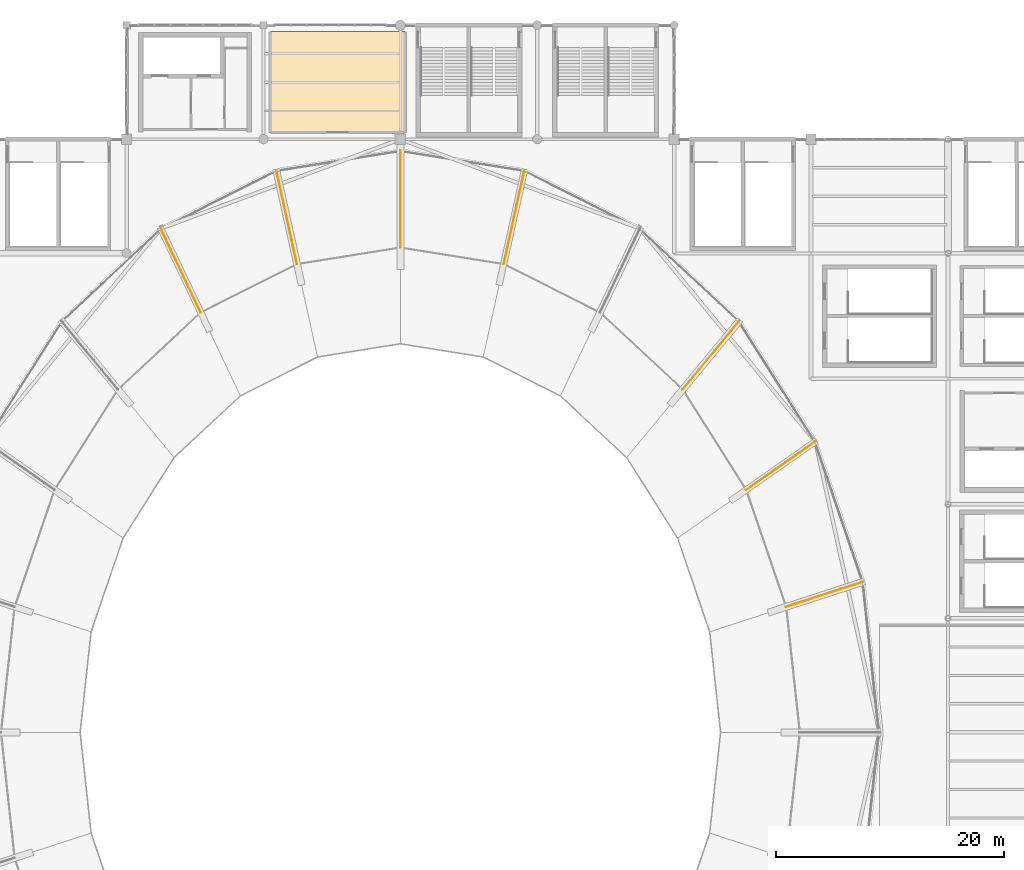
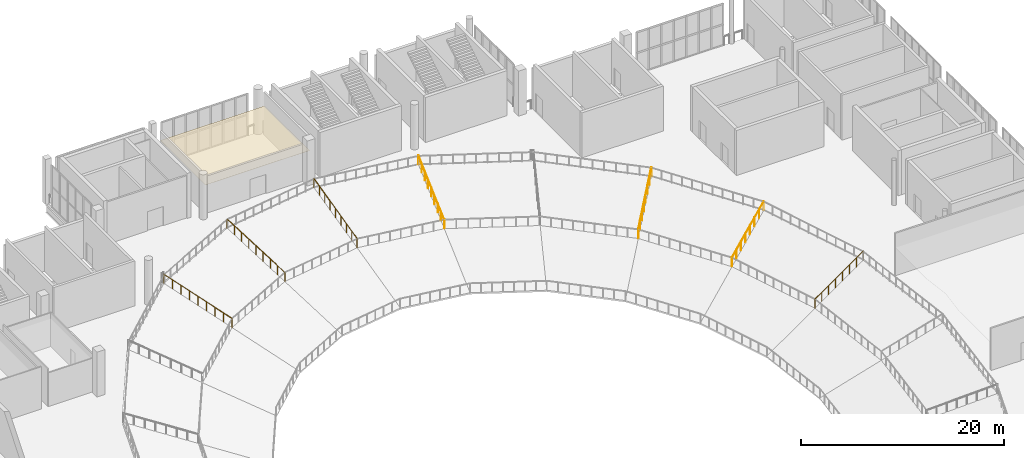
# One storey, part 70 of 74: 7 railings, 1 covering.
"""IFC4 building model written with IfcOpenShell, lengths in metres."""

from ifc_helpers import new_model, si_unit, direction, frame, origin, origin_2d, place, context, subcontext, project, spatial, polyline, circle, outline, extrude, material, layer, layer_set, type_object, element, save


model = new_model("IFC4")

# Units and contexts
model_context = context("Model", 3, precision=1e-05, world=origin(), true_north=direction((0.0, 1.0)))
body_context = subcontext(model_context, "Body", "Model", "MODEL_VIEW")
ifc_project = project(units=[si_unit("LENGTHUNIT", "METRE"), si_unit("AREAUNIT", "SQUARE_METRE"), si_unit("VOLUMEUNIT", "CUBIC_METRE"), si_unit("PLANEANGLEUNIT", "RADIAN"), si_unit("MASSUNIT", "GRAM", prefix="KILO")], contexts=[model_context])

# Site, building, storey
site_placement = place(None, origin())
site = spatial("IfcSite", under=ifc_project, at=site_placement, CompositionType="ELEMENT")
building_placement = place(site_placement, origin())
building = spatial("IfcBuilding", under=site, at=building_placement, Name="Brinegate Civic Arena", CompositionType="ELEMENT")
storey_placement = place(building_placement, frame((0.0, 0.0, 19.199951171875)))
storey = spatial("IfcBuildingStorey", under=building, at=storey_placement, Name="L04", CompositionType="ELEMENT", Elevation=19.199951171875)

# Covering
ifc_material_1 = material(Name="Acoustic perforated aluminium ceiling", Category="aluminium")
ifc_layer = layer(ifc_material_1, 0.01806640625, Name="Acoustic perforated aluminium ceiling")
ifc_layer_set = layer_set([ifc_layer], Name="Acoustic perforated aluminium ceiling")
covering_type = type_object("IfcCoveringType", Name="CEILING-MOISTURE-18", PredefinedType="CEILING", material=ifc_layer_set)
covering_placement = place(storey_placement, frame((0.0, 0.0, 3.33203125)))
element("IfcCovering", 1, at=covering_placement, inside=storey, type_object=covering_type, Name="Acoustic Ceiling L04-002", PredefinedType="CEILING", context=body_context, shape_type="SweptSolid", body=[
    extrude(outline(polyline([(108.402099609375, 123.419921875), (108.404052734375, 123.419921875), (108.406005859375, 123.4189453125), (108.407958984375, 123.41796875), (108.408935546875, 123.41796875), (108.410888671875, 123.4169921875), (108.4130859375, 123.4150390625), (108.4140625, 123.4140625), (108.4150390625, 123.4130859375), (108.4169921875, 123.410888671875), (108.41796875, 123.408935546875), (108.41796875, 123.407958984375), (108.4189453125, 123.406005859375), (108.419921875, 123.404052734375), (108.419921875, 123.402099609375), (108.419921875, 123.39990234375), (108.419921875, 114.60009765625), (108.419921875, 114.597900390625), (108.419921875, 114.595947265625), (108.4189453125, 114.593994140625), (108.41796875, 114.592041015625), (108.41796875, 114.591064453125), (108.4169921875, 114.589111328125), (108.4150390625, 114.5869140625), (108.4140625, 114.5859375), (108.4130859375, 114.5849609375), (108.410888671875, 114.5830078125), (108.408935546875, 114.58203125), (108.407958984375, 114.58203125), (108.406005859375, 114.5810546875), (108.404052734375, 114.580078125), (108.402099609375, 114.580078125), (108.39990234375, 114.580078125), (96.60009765625, 114.580078125), (96.597900390625, 114.580078125), (96.595947265625, 114.580078125), (96.593994140625, 114.5810546875), (96.592041015625, 114.58203125), (96.591064453125, 114.58203125), (96.589111328125, 114.5830078125), (96.5869140625, 114.5849609375), (96.5859375, 114.5859375), (96.5849609375, 114.5869140625), (96.5830078125, 114.589111328125), (96.58203125, 114.591064453125), (96.58203125, 114.592041015625), (96.5810546875, 114.593994140625), (96.580078125, 114.595947265625), (96.580078125, 114.597900390625), (96.580078125, 114.60009765625), (96.580078125, 123.39990234375), (96.580078125, 123.402099609375), (96.580078125, 123.404052734375), (96.5810546875, 123.406005859375), (96.58203125, 123.407958984375), (96.58203125, 123.408935546875), (96.5830078125, 123.410888671875), (96.5849609375, 123.4130859375), (96.5859375, 123.4140625), (96.5869140625, 123.4150390625), (96.589111328125, 123.4169921875), (96.591064453125, 123.41796875), (96.592041015625, 123.41796875), (96.593994140625, 123.4189453125), (96.595947265625, 123.419921875), (96.597900390625, 123.419921875), (96.60009765625, 123.419921875), (108.39990234375, 123.419921875), (108.402099609375, 123.419921875)])), origin(), (0.0, 0.0, 1.0), 0.01806640625),
])

# Railings
ifc_material_2 = material(Name="Architectural stainless steel balustrade", Category="steel")
railing_type = type_object("IfcRailingType", Name="RAIL-BOWL-BARRIER-1100", PredefinedType="GUARDRAIL", material=ifc_material_2)
railing_1_placement = place(storey_placement, frame((141.806884765625, 73.0, -2.074951171875)))
element("IfcRailing", 2, at=railing_1_placement, inside=storey, type_object=railing_type, Name="Upper Bowl Radial Aisle Guard RAD-02", PredefinedType="GUARDRAIL", context=body_context, shape_type="SweptSolid", body=[
    extrude(circle(Radius=0.02392578125, at=origin_2d()), frame((0.00146484375, 0.00048828125, 1.096435546875), z_axis=(0.912873268737, 0.296985378893, 0.280110835114), x_axis=(-0.309370189607, 0.950941683692, 0.0)), (0.0, 0.0, 1.0), 7.404541015625),
    extrude(circle(Radius=0.02099609375, at=origin_2d()), origin(), (0.0, 0.0, 1.0), 1.070068359375),
    extrude(circle(Radius=0.02099609375, at=origin_2d()), frame((0.966064453125, 0.314208984375, 0.29638671875)), (0.0, 0.0, 1.0), 1.070068359375),
    extrude(circle(Radius=0.02099609375, at=origin_2d()), frame((1.93212890625, 0.628662109375, 0.5927734375)), (0.0, 0.0, 1.0), 1.070068359375),
    extrude(circle(Radius=0.02099609375, at=origin_2d()), frame((2.898193359375, 0.94287109375, 0.88916015625)), (0.0, 0.0, 1.0), 1.070068359375),
    extrude(circle(Radius=0.02099609375, at=origin_2d()), frame((3.864013671875, 1.257080078125, 1.185791015625)), (0.0, 0.0, 1.0), 1.070068359375),
    extrude(circle(Radius=0.02099609375, at=origin_2d()), frame((4.830078125, 1.5712890625, 1.482177734375)), (0.0, 0.0, 1.0), 1.070068359375),
    extrude(circle(Radius=0.02099609375, at=origin_2d()), frame((5.796142578125, 1.8857421875, 1.778564453125)), (0.0, 0.0, 1.0), 1.070068359375),
    extrude(circle(Radius=0.02099609375, at=origin_2d()), frame((6.76220703125, 2.199951171875, 2.074951171875)), (0.0, 0.0, 1.0), 1.070068359375),
])
railing_2_placement = place(storey_placement, frame((138.31103515625, 83.25, -2.074951171875)))
element("IfcRailing", 3, at=railing_2_placement, inside=storey, type_object=railing_type, Name="Upper Bowl Radial Aisle Guard RAD-03", PredefinedType="GUARDRAIL", context=body_context, shape_type="SweptSolid", body=[
    extrude(circle(Radius=0.02392578125, at=origin_2d()), frame((0.001220703125, 0.000732421875, 1.096435546875), z_axis=(0.788432626392, 0.552760175603, 0.269870676267), x_axis=(-0.574059757588, 0.818813406533, 0.0)), (0.0, 0.0, 1.0), 7.685791015625),
    extrude(circle(Radius=0.02099609375, at=origin_2d()), origin(), (0.0, 0.0, 1.0), 1.070068359375),
    extrude(circle(Radius=0.02099609375, at=origin_2d()), frame((0.865966796875, 0.607177734375, 0.29638671875)), (0.0, 0.0, 1.0), 1.070068359375),
    extrude(circle(Radius=0.02099609375, at=origin_2d()), frame((1.73193359375, 1.21435546875, 0.5927734375)), (0.0, 0.0, 1.0), 1.070068359375),
    extrude(circle(Radius=0.02099609375, at=origin_2d()), frame((2.597900390625, 1.821533203125, 0.88916015625)), (0.0, 0.0, 1.0), 1.070068359375),
    extrude(circle(Radius=0.02099609375, at=origin_2d()), frame((3.464111328125, 2.428466796875, 1.185791015625)), (0.0, 0.0, 1.0), 1.070068359375),
    extrude(circle(Radius=0.02099609375, at=origin_2d()), frame((4.330078125, 3.03564453125, 1.482177734375)), (0.0, 0.0, 1.0), 1.070068359375),
    extrude(circle(Radius=0.02099609375, at=origin_2d()), frame((5.196044921875, 3.642822265625, 1.778564453125)), (0.0, 0.0, 1.0), 1.070068359375),
    extrude(circle(Radius=0.02099609375, at=origin_2d()), frame((6.06201171875, 4.25, 2.074951171875)), (0.0, 0.0, 1.0), 1.070068359375),
])
railing_3_placement = place(storey_placement, frame((132.7490234375, 92.052001953125, -2.074951171875)))
element("IfcRailing", 4, at=railing_3_placement, inside=storey, type_object=railing_type, Name="Upper Bowl Radial Aisle Guard RAD-04", PredefinedType="GUARDRAIL", context=body_context, shape_type="SweptSolid", body=[
    extrude(circle(Radius=0.02392578125, at=origin_2d()), frame((0.0009765625, 0.001220703125, 1.096435546875), z_axis=(0.614232363267, 0.745920679125, 0.257528531173), x_axis=(-0.771958296095, 0.635673177891, 0.0)), (0.0, 0.0, 1.0), 8.05419921875),
    extrude(circle(Radius=0.02099609375, at=origin_2d()), origin(), (0.0, 0.0, 1.0), 1.070068359375),
    extrude(circle(Radius=0.02099609375, at=origin_2d()), frame((0.70703125, 0.858642578125, 0.29638671875)), (0.0, 0.0, 1.0), 1.070068359375),
    extrude(circle(Radius=0.02099609375, at=origin_2d()), frame((1.4140625, 1.717041015625, 0.5927734375)), (0.0, 0.0, 1.0), 1.070068359375),
    extrude(circle(Radius=0.02099609375, at=origin_2d()), frame((2.12109375, 2.57568359375, 0.88916015625)), (0.0, 0.0, 1.0), 1.070068359375),
    extrude(circle(Radius=0.02099609375, at=origin_2d()), frame((2.827880859375, 3.434326171875, 1.185791015625)), (0.0, 0.0, 1.0), 1.070068359375),
    extrude(circle(Radius=0.02099609375, at=origin_2d()), frame((3.534912109375, 4.29296875, 1.482177734375)), (0.0, 0.0, 1.0), 1.070068359375),
    extrude(circle(Radius=0.02099609375, at=origin_2d()), frame((4.241943359375, 5.1513671875, 1.778564453125)), (0.0, 0.0, 1.0), 1.070068359375),
    extrude(circle(Radius=0.02099609375, at=origin_2d()), frame((4.948974609375, 6.010009765625, 2.074951171875)), (0.0, 0.0, 1.0), 1.070068359375),
])
railing_4_placement = place(storey_placement, frame((117.05908203125, 103.052001953125, -2.074951171875)))
element("IfcRailing", 5, at=railing_4_placement, inside=storey, type_object=railing_type, Name="Upper Bowl Radial Aisle Guard RAD-06", PredefinedType="GUARDRAIL", context=body_context, shape_type="SweptSolid", body=[
    extrude(circle(Radius=0.02392578125, at=origin_2d()), frame((0.000244140625, 0.00146484375, 1.096435546875), z_axis=(0.209136041651, 0.948075870674, 0.239612728228), x_axis=(-0.976523414143, 0.215411284826, 0.0)), (0.0, 0.0, 1.0), 8.656494140625),
    extrude(circle(Radius=0.02099609375, at=origin_2d()), origin(), (0.0, 0.0, 1.0), 1.070068359375),
    extrude(circle(Radius=0.02099609375, at=origin_2d()), frame((0.226318359375, 1.0263671875, 0.25927734375)), (0.0, 0.0, 1.0), 1.070068359375),
    extrude(circle(Radius=0.02099609375, at=origin_2d()), frame((0.45263671875, 2.052490234375, 0.518798828125)), (0.0, 0.0, 1.0), 1.070068359375),
    extrude(circle(Radius=0.02099609375, at=origin_2d()), frame((0.67919921875, 3.07861328125, 0.778076171875)), (0.0, 0.0, 1.0), 1.070068359375),
    extrude(circle(Radius=0.02099609375, at=origin_2d()), frame((0.905517578125, 4.10498046875, 1.03759765625)), (0.0, 0.0, 1.0), 1.070068359375),
    extrude(circle(Radius=0.02099609375, at=origin_2d()), frame((1.1318359375, 5.13134765625, 1.296875)), (0.0, 0.0, 1.0), 1.070068359375),
    extrude(circle(Radius=0.02099609375, at=origin_2d()), frame((1.3583984375, 6.157470703125, 1.55615234375)), (0.0, 0.0, 1.0), 1.070068359375),
    extrude(circle(Radius=0.02099609375, at=origin_2d()), frame((1.584716796875, 7.18359375, 1.815673828125)), (0.0, 0.0, 1.0), 1.070068359375),
    extrude(circle(Radius=0.02099609375, at=origin_2d()), frame((1.81103515625, 8.2099609375, 2.074951171875)), (0.0, 0.0, 1.0), 1.070068359375),
])
railing_5_placement = place(storey_placement, frame((108.0, 104.5, -2.074951171875)))
element("IfcRailing", 6, at=railing_5_placement, inside=storey, type_object=railing_type, Name="Upper Bowl Radial Aisle Guard RAD-07", PredefinedType="GUARDRAIL", context=body_context, shape_type="SweptSolid", body=[
    extrude(circle(Radius=0.02392578125, at=origin_2d()), frame((0.0, 0.00146484375, 1.096435546875), z_axis=(0.0, 0.971473475219, 0.237148238335), x_axis=(-1.0, 0.0, 0.0)), (0.0, 0.0, 1.0), 8.74658203125),
    extrude(circle(Radius=0.02099609375, at=origin_2d()), origin(), (0.0, 0.0, 1.0), 1.070068359375),
    extrude(circle(Radius=0.02099609375, at=origin_2d()), frame((0.0, 1.0625, 0.25927734375)), (0.0, 0.0, 1.0), 1.070068359375),
    extrude(circle(Radius=0.02099609375, at=origin_2d()), frame((0.0, 2.125, 0.518798828125)), (0.0, 0.0, 1.0), 1.070068359375),
    extrude(circle(Radius=0.02099609375, at=origin_2d()), frame((0.0, 3.1875, 0.778076171875)), (0.0, 0.0, 1.0), 1.070068359375),
    extrude(circle(Radius=0.02099609375, at=origin_2d()), frame((0.0, 4.25, 1.03759765625)), (0.0, 0.0, 1.0), 1.070068359375),
    extrude(circle(Radius=0.02099609375, at=origin_2d()), frame((0.0, 5.3125, 1.296875)), (0.0, 0.0, 1.0), 1.070068359375),
    extrude(circle(Radius=0.02099609375, at=origin_2d()), frame((0.0, 6.375, 1.55615234375)), (0.0, 0.0, 1.0), 1.070068359375),
    extrude(circle(Radius=0.02099609375, at=origin_2d()), frame((0.0, 7.4375, 1.815673828125)), (0.0, 0.0, 1.0), 1.070068359375),
    extrude(circle(Radius=0.02099609375, at=origin_2d()), frame((0.0, 8.5, 2.074951171875)), (0.0, 0.0, 1.0), 1.070068359375),
])
railing_6_placement = place(storey_placement, frame((98.94091796875, 103.052001953125, -2.074951171875)))
element("IfcRailing", 7, at=railing_6_placement, inside=storey, type_object=railing_type, Name="Upper Bowl Radial Aisle Guard RAD-08", PredefinedType="GUARDRAIL", context=body_context, shape_type="SweptSolid", body=[
    extrude(circle(Radius=0.02392578125, at=origin_2d()), frame((-0.000244140625, 0.00146484375, 1.096435546875), z_axis=(-0.209136041651, 0.948075870674, 0.239612728228), x_axis=(-0.976523414143, -0.215411284826, 0.0)), (0.0, 0.0, 1.0), 8.656494140625),
    extrude(circle(Radius=0.02099609375, at=origin_2d()), origin(), (0.0, 0.0, 1.0), 1.070068359375),
    extrude(circle(Radius=0.02099609375, at=origin_2d()), frame((-0.226318359375, 1.0263671875, 0.25927734375)), (0.0, 0.0, 1.0), 1.070068359375),
    extrude(circle(Radius=0.02099609375, at=origin_2d()), frame((-0.45263671875, 2.052490234375, 0.518798828125)), (0.0, 0.0, 1.0), 1.070068359375),
    extrude(circle(Radius=0.02099609375, at=origin_2d()), frame((-0.67919921875, 3.07861328125, 0.778076171875)), (0.0, 0.0, 1.0), 1.070068359375),
    extrude(circle(Radius=0.02099609375, at=origin_2d()), frame((-0.905517578125, 4.10498046875, 1.03759765625)), (0.0, 0.0, 1.0), 1.070068359375),
    extrude(circle(Radius=0.02099609375, at=origin_2d()), frame((-1.1318359375, 5.13134765625, 1.296875)), (0.0, 0.0, 1.0), 1.070068359375),
    extrude(circle(Radius=0.02099609375, at=origin_2d()), frame((-1.3583984375, 6.157470703125, 1.55615234375)), (0.0, 0.0, 1.0), 1.070068359375),
    extrude(circle(Radius=0.02099609375, at=origin_2d()), frame((-1.584716796875, 7.18359375, 1.815673828125)), (0.0, 0.0, 1.0), 1.070068359375),
    extrude(circle(Radius=0.02099609375, at=origin_2d()), frame((-1.81103515625, 8.2099609375, 2.074951171875)), (0.0, 0.0, 1.0), 1.070068359375),
])
railing_7_placement = place(storey_placement, frame((90.5, 98.805908203125, -2.074951171875)))
element("IfcRailing", 8, at=railing_7_placement, inside=storey, type_object=railing_type, Name="Upper Bowl Radial Aisle Guard RAD-09", PredefinedType="GUARDRAIL", context=body_context, shape_type="SweptSolid", body=[
    extrude(circle(Radius=0.02392578125, at=origin_2d()), frame((-0.000732421875, 0.001220703125, 1.096435546875), z_axis=(-0.416133336918, 0.8751978405, 0.246701815741), x_axis=(-0.903111725779, -0.429405648263, 0.0)), (0.0, 0.0, 1.0), 8.40771484375),
    extrude(circle(Radius=0.02099609375, at=origin_2d()), origin(), (0.0, 0.0, 1.0), 1.070068359375),
    extrude(circle(Radius=0.02099609375, at=origin_2d()), frame((-0.4375, 0.920166015625, 0.25927734375)), (0.0, 0.0, 1.0), 1.070068359375),
    extrude(circle(Radius=0.02099609375, at=origin_2d()), frame((-0.875, 1.84033203125, 0.518798828125)), (0.0, 0.0, 1.0), 1.070068359375),
    extrude(circle(Radius=0.02099609375, at=origin_2d()), frame((-1.3125, 2.760498046875, 0.778076171875)), (0.0, 0.0, 1.0), 1.070068359375),
    extrude(circle(Radius=0.02099609375, at=origin_2d()), frame((-1.75, 3.6806640625, 1.03759765625)), (0.0, 0.0, 1.0), 1.070068359375),
    extrude(circle(Radius=0.02099609375, at=origin_2d()), frame((-2.1875, 4.6005859375, 1.296875)), (0.0, 0.0, 1.0), 1.070068359375),
    extrude(circle(Radius=0.02099609375, at=origin_2d()), frame((-2.625, 5.520751953125, 1.55615234375)), (0.0, 0.0, 1.0), 1.070068359375),
    extrude(circle(Radius=0.02099609375, at=origin_2d()), frame((-3.0625, 6.44091796875, 1.815673828125)), (0.0, 0.0, 1.0), 1.070068359375),
    extrude(circle(Radius=0.02099609375, at=origin_2d()), frame((-3.5, 7.361083984375, 2.074951171875)), (0.0, 0.0, 1.0), 1.070068359375),
])

save(model, "model.ifc")
